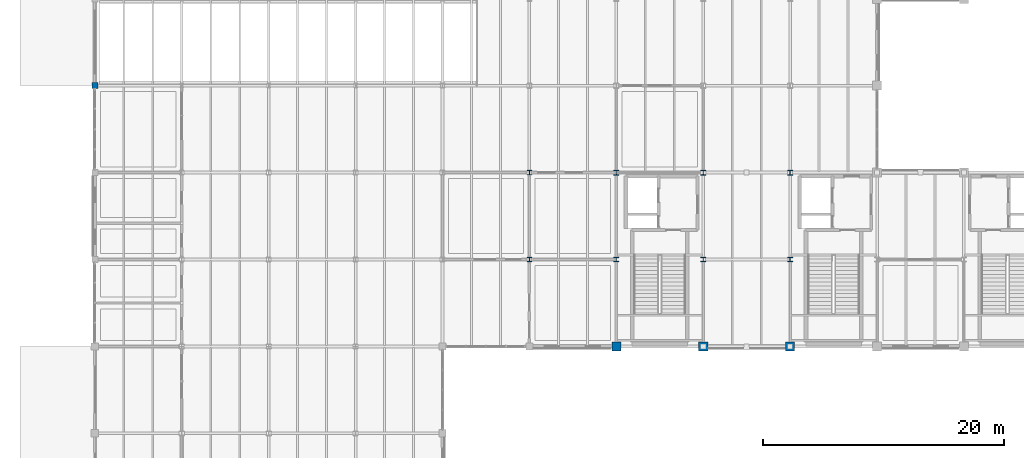
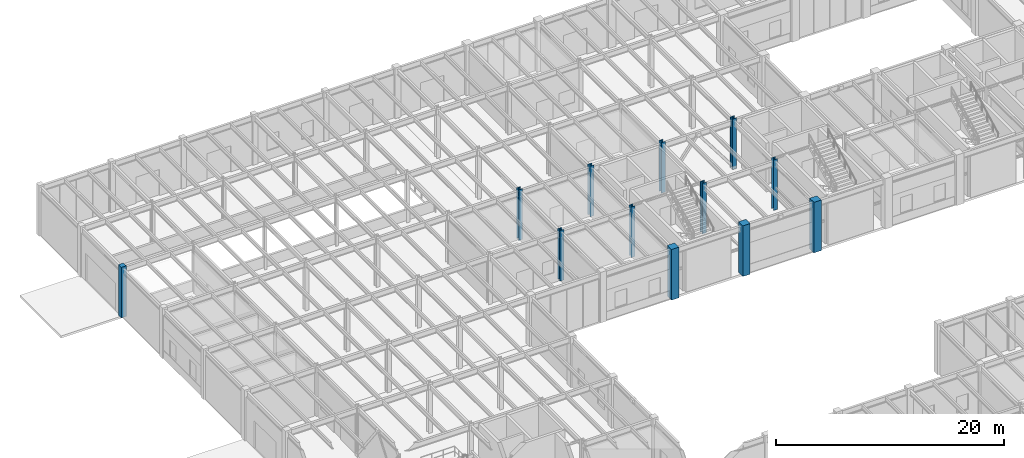
# One storey, part 10 of 97: 12 columns.
"""IFC4 building model written with IfcOpenShell, lengths in metres."""

from ifc_helpers import new_model, si_unit, direction, frame, origin, origin_2d, place, context, subcontext, project, spatial, rectangle, i_section, extrude, material, material_profile, profile_set, type_object, element, save


model = new_model("IFC4")

# Units and contexts
model_context = context("Model", 3, precision=1e-05, world=origin(), true_north=direction((0.0, 1.0)))
body_context = subcontext(model_context, "Body", "Model", "MODEL_VIEW")
ifc_project = project(units=[si_unit("LENGTHUNIT", "METRE"), si_unit("AREAUNIT", "SQUARE_METRE"), si_unit("VOLUMEUNIT", "CUBIC_METRE"), si_unit("PLANEANGLEUNIT", "RADIAN"), si_unit("MASSUNIT", "GRAM", prefix="KILO")], contexts=[model_context])

# Site, building, storey
site_placement = place(None, origin())
site = spatial("IfcSite", under=ifc_project, at=site_placement, CompositionType="ELEMENT")
building_placement = place(site_placement, origin())
building = spatial("IfcBuilding", under=site, at=building_placement, Name="Sillqori Civic Hall", CompositionType="ELEMENT")
storey_placement = place(building_placement, origin())
storey = spatial("IfcBuildingStorey", under=building, at=storey_placement, Name="L01", CompositionType="ELEMENT", Elevation=0.0)

# Columns
ifc_material_1 = material(Name="Concrete C35/45 (H35)", Category="concrete")
ifc_material_profile_1 = material_profile(ifc_material_1, rectangle(XDim=0.5, YDim=0.5, at=origin_2d()), Name="RC 500x500")
ifc_profile_set_1 = profile_set([ifc_material_profile_1], Name="Concrete C35/45 (H35)")
column_type_1 = type_object("IfcColumnType", Name="COL-RC500", PredefinedType="COLUMN", material=ifc_profile_set_1)
column_placement = place(storey_placement, frame((7.199951171875, 100.800048828125, 0.0), z_axis=(0.0, 0.0, 1.0), x_axis=(1.0, 0.0, 0.0)))
element("IfcColumn", 1, at=column_placement, inside=storey, type_object=column_type_1, Name="L01 column 1-14", PredefinedType="COLUMN", context=body_context, shape_type="SweptSolid", body=[
    extrude(rectangle(XDim=0.5, YDim=0.5, at=origin_2d()), origin(), (0.0, 0.0, 1.0), 5.39990234375),
])
ifc_material_profile_2 = material_profile(ifc_material_1, rectangle(XDim=0.75, YDim=0.75, at=origin_2d()), Name="RC 750x750")
ifc_profile_set_2 = profile_set([ifc_material_profile_2], Name="Concrete C35/45 (H35)")
column_type_2 = type_object("IfcColumnType", Name="COL-RC750", PredefinedType="COLUMN", material=ifc_profile_set_2)
for number, where, z_axis, x_axis, name in (
    (2, (50.39990234375, 79.199951171875, 0.0), (0.0, 0.0, 1.0), (1.0, 0.0, 0.0), "L01 column 7-11"),
    (3, (57.60009765625, 79.199951171875, 0.0), (0.0, 0.0, 1.0), (1.0, 0.0, 0.0), "L01 column 8-11"),
    (4, (64.800048828125, 79.199951171875, 0.0), (0.0, 0.0, 1.0), (1.0, 0.0, 0.0), "L01 column 9-11"),
):
    element("IfcColumn", number, at=place(storey_placement, frame(where, z_axis=z_axis, x_axis=x_axis)), inside=storey, type_object=column_type_2, Name=name, PredefinedType="COLUMN", context=body_context, shape_type="SweptSolid", body=[
        extrude(rectangle(XDim=0.75, YDim=0.75, at=origin_2d()), origin(), (0.0, 0.0, 1.0), 5.39990234375),
    ])
ifc_material_2 = material(Name="Steel ASTM A992", Category="steel")
ifc_material_profile_3 = material_profile(ifc_material_2, i_section(OverallWidth=0.39892578125, OverallDepth=0.385986328125, WebThickness=0.02099609375, FlangeThickness=0.033203125, FilletRadius=0.014892578125, at=origin_2d()), Name="W14X176")
ifc_profile_set_3 = profile_set([ifc_material_profile_3], Name="Steel ASTM A992")
column_type_3 = type_object("IfcColumnType", Name="COL-W14X176", PredefinedType="COLUMN", material=ifc_profile_set_3)
for number, where, z_axis, x_axis, name in (
    (5, (43.199951171875, 86.39990234375, 0.0), (0.0, 0.0, 1.0), (1.0, 0.0, 0.0), "L01 column 6-12"),
    (6, (43.199951171875, 93.60009765625, 0.0), (0.0, 0.0, 1.0), (1.0, 0.0, 0.0), "L01 column 6-13"),
):
    element("IfcColumn", number, at=place(storey_placement, frame(where, z_axis=z_axis, x_axis=x_axis)), inside=storey, type_object=column_type_3, Name=name, PredefinedType="COLUMN", context=body_context, shape_type="SweptSolid", body=[
        extrude(i_section(OverallWidth=0.39892578125, OverallDepth=0.385986328125, WebThickness=0.02099609375, FlangeThickness=0.033203125, FilletRadius=0.014892578125, at=origin_2d()), origin(), (0.0, 0.0, 1.0), 5.39990234375),
    ])
ifc_material_profile_4 = material_profile(ifc_material_2, i_section(OverallWidth=0.404052734375, OverallDepth=0.406005859375, WebThickness=0.027099609375, FlangeThickness=0.043701171875, FilletRadius=0.014892578125, at=origin_2d()), Name="W14X233")
ifc_profile_set_4 = profile_set([ifc_material_profile_4], Name="Steel ASTM A992")
column_type_4 = type_object("IfcColumnType", Name="COL-W14X233", PredefinedType="COLUMN", material=ifc_profile_set_4)
for number, where, z_axis, x_axis, name in (
    (7, (50.39990234375, 86.39990234375, 0.0), (0.0, 0.0, 1.0), (1.0, 0.0, 0.0), "L01 column 7-12"),
    (8, (50.39990234375, 93.60009765625, 0.0), (0.0, 0.0, 1.0), (1.0, 0.0, 0.0), "L01 column 7-13"),
    (9, (57.60009765625, 86.39990234375, 0.0), (0.0, 0.0, 1.0), (1.0, 0.0, 0.0), "L01 column 8-12"),
    (10, (57.60009765625, 93.60009765625, 0.0), (0.0, 0.0, 1.0), (1.0, 0.0, 0.0), "L01 column 8-13"),
    (11, (64.800048828125, 86.39990234375, 0.0), (0.0, 0.0, 1.0), (1.0, 0.0, 0.0), "L01 column 9-12"),
    (12, (64.800048828125, 93.60009765625, 0.0), (0.0, 0.0, 1.0), (1.0, 0.0, 0.0), "L01 column 9-13"),
):
    element("IfcColumn", number, at=place(storey_placement, frame(where, z_axis=z_axis, x_axis=x_axis)), inside=storey, type_object=column_type_4, Name=name, PredefinedType="COLUMN", context=body_context, shape_type="SweptSolid", body=[
        extrude(i_section(OverallWidth=0.404052734375, OverallDepth=0.406005859375, WebThickness=0.027099609375, FlangeThickness=0.043701171875, FilletRadius=0.014892578125, at=origin_2d()), origin(), (0.0, 0.0, 1.0), 5.39990234375),
    ])

save(model, "model.ifc")
